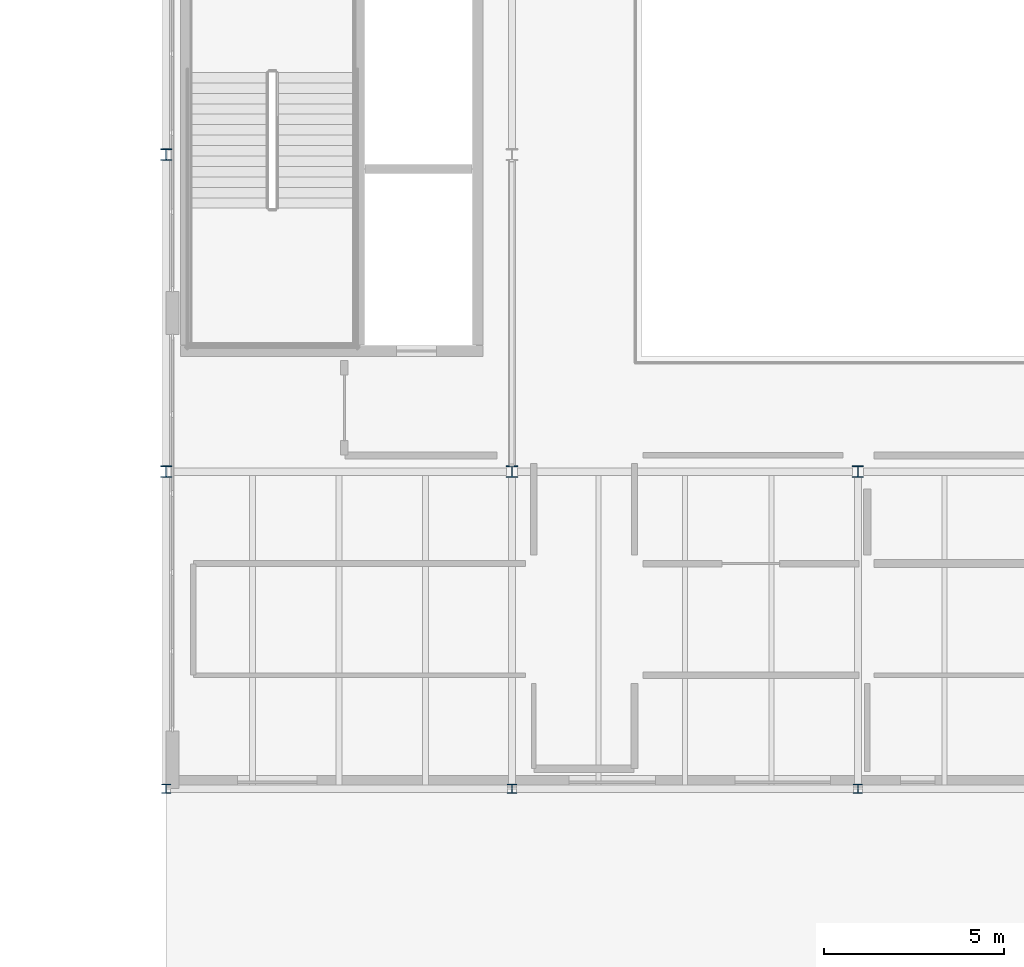
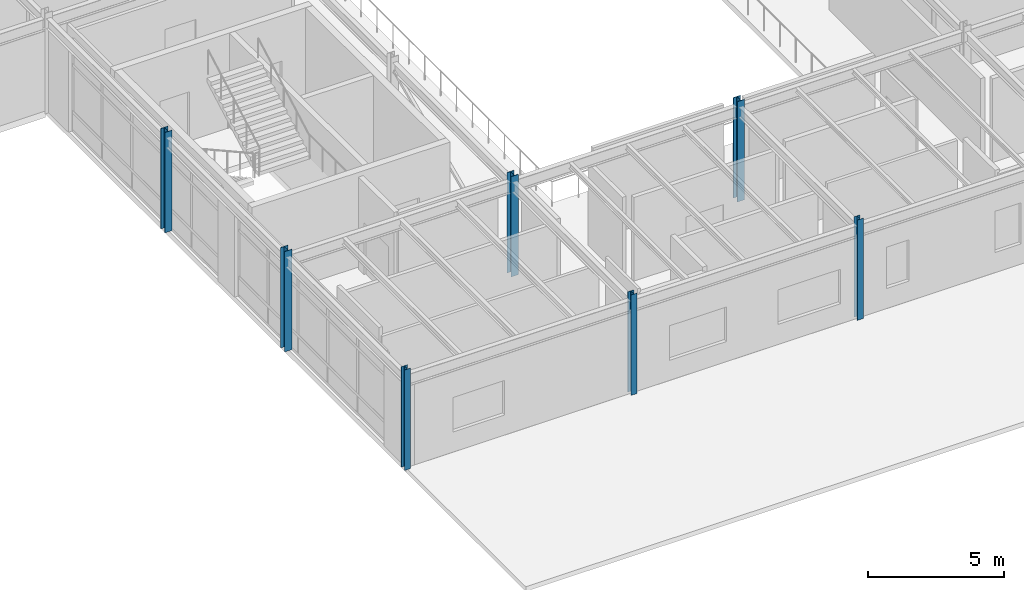
# One storey, part 4 of 69: 7 columns.
"""IFC4 building model written with IfcOpenShell, lengths in metres."""

from ifc_helpers import new_model, si_unit, direction, frame, origin, origin_2d, place, context, subcontext, project, spatial, i_section, extrude, material, material_profile, profile_set, type_object, element, save


model = new_model("IFC4")

# Units and contexts
model_context = context("Model", 3, precision=1e-05, world=origin(), true_north=direction((0.0, 1.0)))
body_context = subcontext(model_context, "Body", "Model", "MODEL_VIEW")
ifc_project = project(units=[si_unit("LENGTHUNIT", "METRE"), si_unit("AREAUNIT", "SQUARE_METRE"), si_unit("VOLUMEUNIT", "CUBIC_METRE"), si_unit("PLANEANGLEUNIT", "RADIAN"), si_unit("MASSUNIT", "GRAM", prefix="KILO")], contexts=[model_context])

# Site, building, storey
site_placement = place(None, origin())
site = spatial("IfcSite", under=ifc_project, at=site_placement, CompositionType="ELEMENT")
building_placement = place(site_placement, origin())
building = spatial("IfcBuilding", under=site, at=building_placement, Name="Sarnbrook Museum", CompositionType="ELEMENT")
storey_placement = place(building_placement, frame((0.0, 0.0, 14.60009765625)))
storey = spatial("IfcBuildingStorey", under=building, at=storey_placement, Name="L03", CompositionType="ELEMENT", Elevation=14.60009765625)

# Columns
ifc_material = material(Name="Structural Steel Grade 300PLUS (AS/NZS 3679.1, fy = 280 MPa for 17 < t <= 40 mm, 300 MPa for t <= 17 mm)", Category="steel")
ifc_material_profile_1 = material_profile(ifc_material, i_section(OverallWidth=0.25390625, OverallDepth=0.25390625, WebThickness=0.008544921875, FlangeThickness=0.01416015625, FilletRadius=0.0126953125, at=origin_2d()), Name="250UC72.9")
ifc_profile_set_1 = profile_set([ifc_material_profile_1], Name="Structural Steel Grade 300PLUS (AS/NZS 3679.1, fy = 280 MPa for 17 < t <= 40 mm, 300 MPa for t <= 17 mm)")
column_type_1 = type_object("IfcColumnType", Name="COL-UC250", PredefinedType="COLUMN", material=ifc_profile_set_1)
for number, where, z_axis, x_axis, name in (
    (1, (90.39990234375, 48.0, 0.0), (0.0, 0.0, 1.0), (1.0, 0.0, 0.0), "Column 10-F L03"),
    (2, (100.0, 48.0, 0.0), (0.0, 0.0, 1.0), (1.0, 0.0, 0.0), "Column 11-F L03"),
    (3, (80.800048828125, 48.0, 0.0), (0.0, 0.0, 1.0), (1.0, 0.0, 0.0), "Column 9-F L03"),
):
    element("IfcColumn", number, at=place(storey_placement, frame(where, z_axis=z_axis, x_axis=x_axis)), inside=storey, type_object=column_type_1, Name=name, PredefinedType="COLUMN", context=body_context, shape_type="SweptSolid", body=[
        extrude(i_section(OverallWidth=0.25390625, OverallDepth=0.25390625, WebThickness=0.008544921875, FlangeThickness=0.01416015625, FilletRadius=0.0126953125, at=origin_2d()), origin(), (0.0, 0.0, 1.0), 4.5),
    ])
ifc_material_profile_2 = material_profile(ifc_material, i_section(OverallWidth=0.306884765625, OverallDepth=0.31494140625, WebThickness=0.011962890625, FlangeThickness=0.018798828125, FilletRadius=0.0166015625, at=origin_2d()), Name="310UC118")
ifc_profile_set_2 = profile_set([ifc_material_profile_2], Name="Structural Steel Grade 300PLUS (AS/NZS 3679.1, fy = 280 MPa for 17 < t <= 40 mm, 300 MPa for t <= 17 mm)")
column_type_2 = type_object("IfcColumnType", Name="COL-UC310", PredefinedType="COLUMN", material=ifc_profile_set_2)
for number, where, z_axis, x_axis, name in (
    (4, (90.39990234375, 56.800048828125, 0.0), (0.0, 0.0, 1.0), (1.0, 0.0, 0.0), "Column 10-G L03"),
    (5, (100.0, 56.800048828125, 0.0), (0.0, 0.0, 1.0), (1.0, 0.0, 0.0), "Column 11-G L03"),
    (6, (80.800048828125, 56.800048828125, 0.0), (0.0, 0.0, 1.0), (1.0, 0.0, 0.0), "Column 9-G L03"),
    (7, (80.800048828125, 65.60009765625, 0.0), (0.0, 0.0, 1.0), (1.0, 0.0, 0.0), "Column 9-H L03"),
):
    element("IfcColumn", number, at=place(storey_placement, frame(where, z_axis=z_axis, x_axis=x_axis)), inside=storey, type_object=column_type_2, Name=name, PredefinedType="COLUMN", context=body_context, shape_type="SweptSolid", body=[
        extrude(i_section(OverallWidth=0.306884765625, OverallDepth=0.31494140625, WebThickness=0.011962890625, FlangeThickness=0.018798828125, FilletRadius=0.0166015625, at=origin_2d()), origin(), (0.0, 0.0, 1.0), 4.5),
    ])

save(model, "model.ifc")
